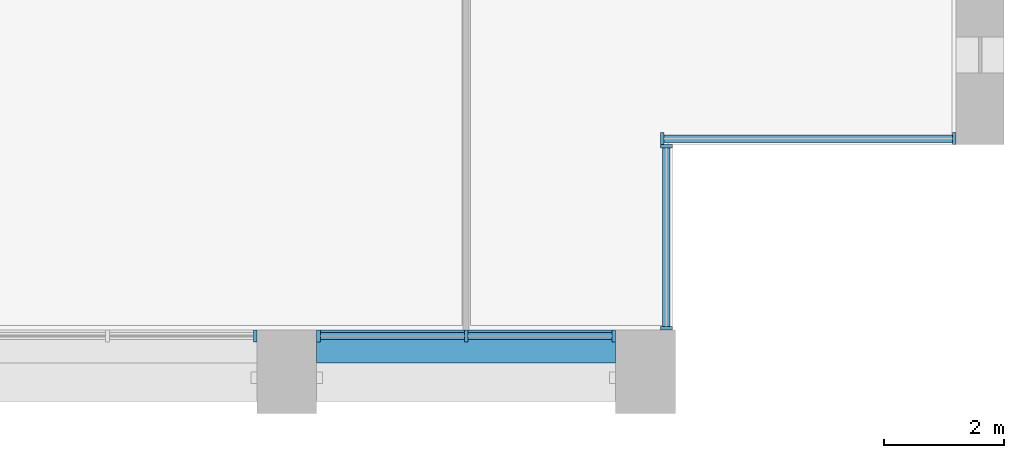
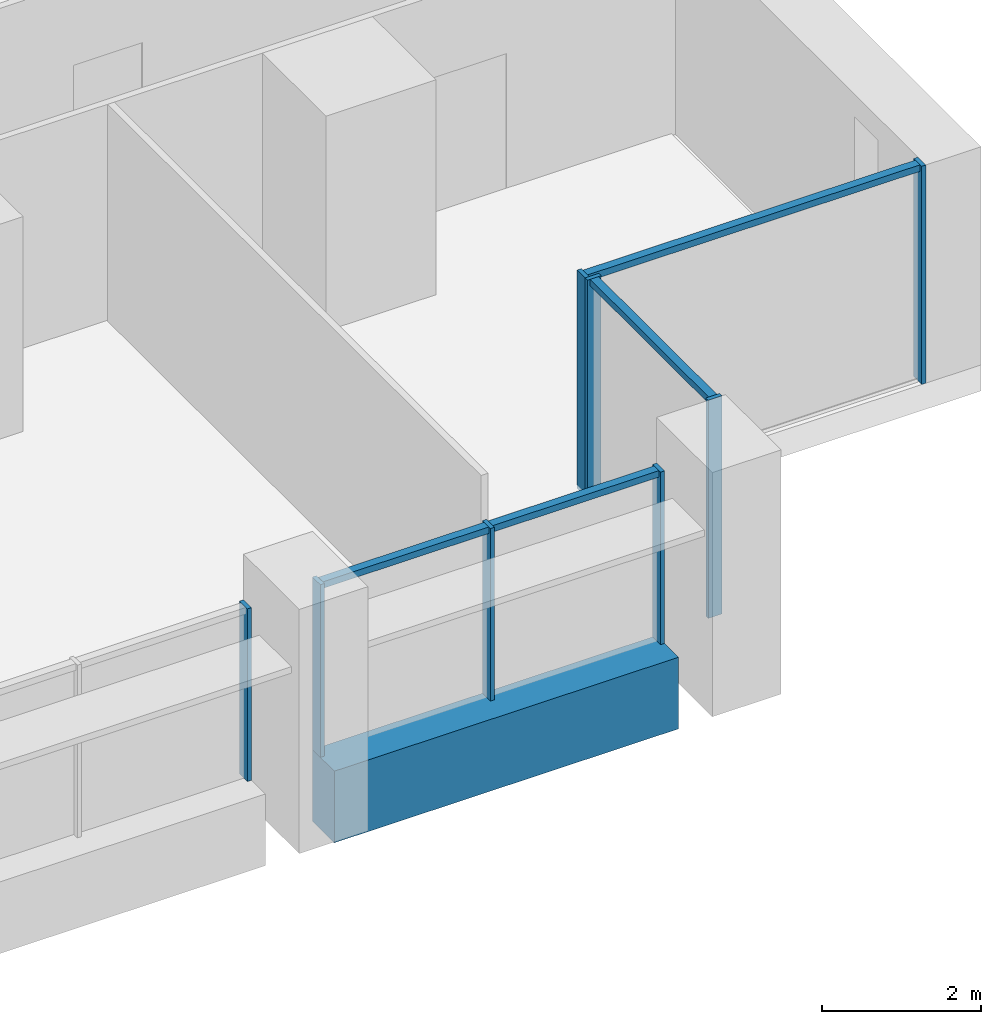
# One storey, part 5 of 18: 12 members, 1 beam, 4 elements without a shape of their own.
"""IFC4 building model written with IfcOpenShell, lengths in metres."""

import ifcopenshell
import ifcopenshell.guid

model = None  # the IFC model being written
_history = None  # IfcOwnerHistory: only IFC2X3 demands one
_inside = {}  # id of a spatial element -> (the spatial element, [elements in it])
_under = {}  # id of a project, library or spatial element -> (it, [spatial elements below it])
_declared = {}  # id of a project -> (the project, [libraries it declares])
_typed = {}  # id of a type object -> (the type object, [elements of that type])
_made_of = {}  # id of a material, layer set ... -> (it, [elements and type objects made of it])


def new_model(schema):
    """Start an empty IFC model of exactly this schema.

    Asked for "IFC4X3", IfcOpenShell would pick the latest addendum, in which some entities
    have other attributes; the version numbers below select the first issue.
    IFC2X3 requires an IfcOwnerHistory on every rooted entity: one is made here for all.
    """
    global model, _history
    if schema == "IFC4X3":
        model = ifcopenshell.file(schema_version=(4, 3, 0, 0))
    else:
        model = ifcopenshell.file(schema=schema)
    _inside.clear()
    _under.clear()
    _declared.clear()
    _typed.clear()
    _made_of.clear()
    _history = None
    if model.schema == "IFC2X3":
        org = make("IfcOrganization", Name="unknown")
        user = make(
            "IfcPersonAndOrganization",
            ThePerson=make("IfcPerson", FamilyName="unknown"),
            TheOrganization=org,
        )
        app = make(
            "IfcApplication",
            ApplicationDeveloper=org,
            Version="unknown",
            ApplicationFullName="unknown",
            ApplicationIdentifier="unknown",
        )
        _history = make(
            "IfcOwnerHistory",
            OwningUser=user,
            OwningApplication=app,
            ChangeAction="ADDED",
            CreationDate=0,
        )
    return model


def make(cls, **values):
    """One entity of the class cls with the attributes given. An attribute that is None is left unset."""
    return model.create_entity(
        cls, **{name: value for name, value in values.items() if value is not None}
    )


def rooted(cls, **values):
    """An entity with a GlobalId (a new one), such as an element, a storey or a relation."""
    return make(cls, GlobalId=ifcopenshell.guid.new(), OwnerHistory=_history, **values)


def si_unit(unit_type, name, prefix=None):
    """IfcSIUnit, for example si_unit("LENGTHUNIT", "METRE", prefix="MILLI")."""
    return make("IfcSIUnit", UnitType=unit_type, Prefix=prefix, Name=name)


def assignment(units):
    """IfcUnitAssignment: the units of a project."""
    return None if units is None else make("IfcUnitAssignment", Units=units)


def point(xyz):
    """IfcCartesianPoint."""
    return None if xyz is None else make("IfcCartesianPoint", Coordinates=xyz)


def direction(xyz):
    """IfcDirection."""
    return None if xyz is None else make("IfcDirection", DirectionRatios=xyz)


def frame(location, z_axis=None, x_axis=None):
    """IfcAxis2Placement3D, a coordinate frame: its origin and axes. An axis left out is left unset."""
    return make(
        "IfcAxis2Placement3D",
        Location=point(location),
        Axis=direction(z_axis),
        RefDirection=direction(x_axis),
    )


def frame_2d(location, x_axis=None):
    """IfcAxis2Placement2D, a coordinate frame in the plane: its origin and x axis."""
    return make(
        "IfcAxis2Placement2D", Location=point(location), RefDirection=direction(x_axis)
    )


def origin():
    """The frame at (0, 0, 0) with its axes left unset."""
    return frame((0.0, 0.0, 0.0))


def origin_2d():
    """The frame at (0, 0) in the plane with its x axis left unset."""
    return frame_2d((0.0, 0.0))


def place(relative_to, where):
    """IfcLocalPlacement: puts the frame where relative to a parent placement (None: the world)."""
    return make(
        "IfcLocalPlacement", PlacementRelTo=relative_to, RelativePlacement=where
    )


def context(
    kind, dimensions, precision=None, world=None, true_north=None, identifier=None
):
    """IfcGeometricRepresentationContext, for example the 3D "Model" context."""
    return make(
        "IfcGeometricRepresentationContext",
        ContextIdentifier=identifier,
        ContextType=kind,
        CoordinateSpaceDimension=dimensions,
        Precision=precision,
        WorldCoordinateSystem=world,
        TrueNorth=true_north,
    )


def subcontext(parent, identifier, kind, view, scale=None):
    """IfcGeometricRepresentationSubContext, for example "Body" below "Model"."""
    return make(
        "IfcGeometricRepresentationSubContext",
        ContextIdentifier=identifier,
        ContextType=kind,
        ParentContext=parent,
        TargetScale=scale,
        TargetView=view,
    )


def project(units=None, contexts=None):
    """IfcProject with its units and contexts."""
    return rooted(
        "IfcProject",
        Name="project",
        RepresentationContexts=contexts,
        UnitsInContext=assignment(units),
    )


def spatial(cls, under=None, at=None, **own):
    """A site, building, storey or space (cls), placed at a placement, below another one or the project."""
    s = rooted(cls, ObjectPlacement=at, **own)
    if under is not None:
        _under.setdefault(under.id(), (under, []))[1].append(s)
    return s


def profile(cls, at=None, kind="AREA", **sizes):
    """A parametric profile (cls). Its sizes go by their IFC names, for example OverallWidth=200.0."""
    return make(cls, ProfileType=kind, Position=at, **sizes)


def rectangle(**sizes):
    """IfcRectangleProfileDef."""
    return profile("IfcRectangleProfileDef", **sizes)


def extrude(swept, where, along, depth):
    """IfcExtrudedAreaSolid: the profile swept, set in the frame where, extruded along a direction by depth."""
    return make(
        "IfcExtrudedAreaSolid",
        SweptArea=swept,
        Position=where,
        ExtrudedDirection=direction(along),
        Depth=depth,
    )


def shape(context_of_items, identifier, shape_type, items):
    """IfcShapeRepresentation: the items that make up one representation, for example the "Body"."""
    return make(
        "IfcShapeRepresentation",
        ContextOfItems=context_of_items,
        RepresentationIdentifier=identifier,
        RepresentationType=shape_type,
        Items=items,
    )


def material(Name=None, Category=None):
    """IfcMaterial."""
    return make("IfcMaterial", Name=Name, Category=Category)


def material_profile(
    of_material, cross_section, Name=None, Category=None, Priority=None
):
    """IfcMaterialProfile: a cross section and its material."""
    return make(
        "IfcMaterialProfile",
        Name=Name,
        Material=of_material,
        Profile=cross_section,
        Priority=Priority,
        Category=Category,
    )


def profile_set(profiles, Name=None, composite=None):
    """IfcMaterialProfileSet."""
    return make(
        "IfcMaterialProfileSet",
        Name=Name,
        MaterialProfiles=profiles,
        CompositeProfile=composite,
    )


def made_of(thing, what):
    """Note that an element or type object is made of a material, layer set ...; save() writes the relation."""
    if what is not None:
        _made_of.setdefault(what.id(), (what, []))[1].append(thing)
    return thing


def type_object(cls, material=None, **own):
    """A type object (cls), such as IfcWallType, which elements share."""
    return made_of(rooted(cls, **own), material)


def element(
    cls,
    number,
    at=None,
    inside=None,
    cuts=None,
    type_object=None,
    material=None,
    context=None,
    identifier="Body",
    shape_type=None,
    held_by="IfcProductDefinitionShape",
    body=None,
    shapes=None,
    **own,
):
    """One element of the class cls, such as IfcWall. Its Tag is "e" and its number.

    at: its placement. inside: the storey or other place that contains it. cuts: it is an
    opening in that element (IfcRelVoidsElement). A single representation is given by context,
    identifier, shape_type and body (its items); several are given by shapes. held_by: the class
    of the entity that holds the representations. save() writes the other relations.
    """
    e = rooted(cls, Tag="e%d" % number, ObjectPlacement=at, **own)
    if body is not None:
        shapes = [shape(context, identifier, shape_type, body)]
    if shapes is not None:
        e.Representation = make(held_by, Representations=shapes)
    if inside is not None:
        _inside.setdefault(inside.id(), (inside, []))[1].append(e)
    if cuts is not None:
        rooted(
            "IfcRelVoidsElement", RelatingBuildingElement=cuts, RelatedOpeningElement=e
        )
    if type_object is not None:
        _typed.setdefault(type_object.id(), (type_object, []))[1].append(e)
    return made_of(e, material)


def aggregate(whole, parts):
    """IfcRelAggregates: a whole, such as a stair, and the parts it consists of."""
    return rooted("IfcRelAggregates", RelatingObject=whole, RelatedObjects=parts)


def save(model, path):
    """Write the relations noted so far, then the file.

    IfcRelAggregates (storeys below a building ...), IfcRelContainedInSpatialStructure (elements
    in a storey), IfcRelDefinesByType, IfcRelAssociatesMaterial and IfcRelDeclares: one each for
    every whole, place, type object, material and project.
    """
    for whole, parts in _under.values():
        aggregate(whole, parts)
    for where, things in _inside.values():
        rooted(
            "IfcRelContainedInSpatialStructure",
            RelatedElements=things,
            RelatingStructure=where,
        )
    for kind, things in _typed.values():
        rooted("IfcRelDefinesByType", RelatedObjects=things, RelatingType=kind)
    for what, things in _made_of.values():
        rooted("IfcRelAssociatesMaterial", RelatedObjects=things, RelatingMaterial=what)
    for by, libraries in _declared.values():
        rooted("IfcRelDeclares", RelatingContext=by, RelatedDefinitions=libraries)
    model.write(path)


model = new_model("IFC4")

# Units and contexts
model_context = context("Model", 3, precision=1e-05, world=origin(), true_north=direction((0.0, 1.0)))
body_context = subcontext(model_context, "Body", "Model", "MODEL_VIEW")
ifc_project = project(units=[si_unit("LENGTHUNIT", "METRE"), si_unit("AREAUNIT", "SQUARE_METRE"), si_unit("VOLUMEUNIT", "CUBIC_METRE"), si_unit("PLANEANGLEUNIT", "RADIAN"), si_unit("MASSUNIT", "GRAM", prefix="KILO")], contexts=[model_context])

# Site, building, storey
site_placement = place(None, origin())
site = spatial("IfcSite", under=ifc_project, at=site_placement, CompositionType="ELEMENT")
building_placement = place(site_placement, origin())
building = spatial("IfcBuilding", under=site, at=building_placement, Name="Calvaro Tower", CompositionType="ELEMENT")
storey_placement = place(building_placement, frame((0.0, 0.0, 63.75)))
storey = spatial("IfcBuildingStorey", under=building, at=storey_placement, Name="L15", CompositionType="ELEMENT", Elevation=63.75)

# Curtain wall, member
ifc_material_1 = material(Name="Anodised aluminium", Category="aluminium")
curtain_wall_type = type_object("IfcCurtainWallType", Name="Office curtain wall, lower zone", PredefinedType="NOTDEFINED", material=ifc_material_1)
curtain_wall_1_placement = place(storey_placement, origin())
curtain_wall_1 = element("IfcCurtainWall", 1, at=curtain_wall_1_placement, inside=storey, type_object=curtain_wall_type, Name="CW1 south curtain wall", PredefinedType="NOTDEFINED")
ifc_material_2 = material(Name="Anodised aluminium", Category="aluminium")
ifc_material_profile_1 = material_profile(ifc_material_2, rectangle(XDim=0.199951171875, YDim=0.06005859375, at=origin_2d()), Name="Mullion S1 60 x 200")
ifc_profile_set_1 = profile_set([ifc_material_profile_1], Name="Anodised aluminium")
member_type_1 = type_object("IfcMemberType", Name="Mullion S1 60 x 200", PredefinedType="MULLION", material=ifc_profile_set_1)
member_1_placement = place(storey_placement, frame((65.469970703125, 1.300048828125, 0.0), z_axis=(0.0, 0.0, 1.0), x_axis=(0.0, 1.0, 0.0)))
member_1 = element("IfcMember", 2, at=member_1_placement, type_object=member_type_1, Name="CW1 mullion 3", PredefinedType="MULLION", context=body_context, shape_type="SweptSolid", body=[
    extrude(rectangle(XDim=0.199951171875, YDim=0.06005859375, at=origin_2d()), origin(), (0.0, 0.0, 1.0), 2.64990234375),
])
aggregate(curtain_wall_1, [member_1])

# Curtain wall, members
curtain_wall_2_placement = place(storey_placement, origin())
curtain_wall_2 = element("IfcCurtainWall", 3, at=curtain_wall_2_placement, inside=storey, type_object=curtain_wall_type, Name="CW1 south curtain wall", PredefinedType="NOTDEFINED")
member_2_placement = place(storey_placement, frame((66.530029296875, 1.300048828125, 0.0), z_axis=(0.0, 0.0, 1.0), x_axis=(0.0, 1.0, 0.0)))
member_2 = element("IfcMember", 4, at=member_2_placement, type_object=member_type_1, Name="CW1 mullion 1", PredefinedType="MULLION", context=body_context, shape_type="SweptSolid", body=[
    extrude(rectangle(XDim=0.199951171875, YDim=0.06005859375, at=origin_2d()), origin(), (0.0, 0.0, 1.0), 2.64990234375),
])
member_3_placement = place(storey_placement, frame((69.0, 1.300048828125, 0.0), z_axis=(0.0, 0.0, 1.0), x_axis=(0.0, 1.0, 0.0)))
member_3 = element("IfcMember", 5, at=member_3_placement, type_object=member_type_1, Name="CW1 mullion 2", PredefinedType="MULLION", context=body_context, shape_type="SweptSolid", body=[
    extrude(rectangle(XDim=0.199951171875, YDim=0.06005859375, at=origin_2d()), origin(), (0.0, 0.0, 1.0), 2.64990234375),
])
member_4_placement = place(storey_placement, frame((71.469970703125, 1.300048828125, 0.0), z_axis=(0.0, 0.0, 1.0), x_axis=(0.0, 1.0, 0.0)))
member_4 = element("IfcMember", 6, at=member_4_placement, type_object=member_type_1, Name="CW1 mullion 3", PredefinedType="MULLION", context=body_context, shape_type="SweptSolid", body=[
    extrude(rectangle(XDim=0.199951171875, YDim=0.06005859375, at=origin_2d()), origin(), (0.0, 0.0, 1.0), 2.64990234375),
])

curtain_wall_3_placement = place(storey_placement, origin())
curtain_wall_3 = element("IfcCurtainWall", 7, at=curtain_wall_3_placement, inside=storey, type_object=curtain_wall_type, Name="CW1 corner curtain wall", PredefinedType="NOTDEFINED")
member_5_placement = place(storey_placement, frame((72.35009765625, 1.429931640625, 0.0), z_axis=(0.0, 0.0, 1.0), x_axis=(-1.0, 0.0, 0.0)))
member_5 = element("IfcMember", 8, at=member_5_placement, type_object=member_type_1, Name="CW1 mullion 1", PredefinedType="MULLION", context=body_context, shape_type="SweptSolid", body=[
    extrude(rectangle(XDim=0.199951171875, YDim=0.06005859375, at=origin_2d()), origin(), (0.0, 0.0, 1.0), 3.35009765625),
])
member_6_placement = place(storey_placement, frame((72.35009765625, 4.469970703125, 0.0), z_axis=(0.0, 0.0, 1.0), x_axis=(-1.0, 0.0, 0.0)))
member_6 = element("IfcMember", 9, at=member_6_placement, type_object=member_type_1, Name="CW1 mullion 2", PredefinedType="MULLION", context=body_context, shape_type="SweptSolid", body=[
    extrude(rectangle(XDim=0.199951171875, YDim=0.06005859375, at=origin_2d()), origin(), (0.0, 0.0, 1.0), 3.35009765625),
])

curtain_wall_4_placement = place(storey_placement, origin())
curtain_wall_4 = element("IfcCurtainWall", 10, at=curtain_wall_4_placement, inside=storey, type_object=curtain_wall_type, Name="CW1 corner curtain wall", PredefinedType="NOTDEFINED")
member_7_placement = place(storey_placement, frame((72.280029296875, 4.60009765625, 0.0), z_axis=(0.0, 0.0, 1.0), x_axis=(0.0, 1.0, 0.0)))
member_7 = element("IfcMember", 11, at=member_7_placement, type_object=member_type_1, Name="CW1 mullion 1", PredefinedType="MULLION", context=body_context, shape_type="SweptSolid", body=[
    extrude(rectangle(XDim=0.199951171875, YDim=0.06005859375, at=origin_2d()), origin(), (0.0, 0.0, 1.0), 3.35009765625),
])
member_8_placement = place(storey_placement, frame((77.169921875, 4.60009765625, 0.0), z_axis=(0.0, 0.0, 1.0), x_axis=(0.0, 1.0, 0.0)))
member_8 = element("IfcMember", 12, at=member_8_placement, type_object=member_type_1, Name="CW1 mullion 2", PredefinedType="MULLION", context=body_context, shape_type="SweptSolid", body=[
    extrude(rectangle(XDim=0.199951171875, YDim=0.06005859375, at=origin_2d()), origin(), (0.0, 0.0, 1.0), 3.35009765625),
])

# Beam
ifc_material_3 = material(Name="Concrete C50/60 precast", Category="concrete")
ifc_material_profile_2 = material_profile(ifc_material_3, rectangle(XDim=0.550048828125, YDim=1.10009765625, at=origin_2d()), Name="RC 550x1100")
ifc_profile_set_2 = profile_set([ifc_material_profile_2], Name="Concrete C50/60 precast")
beam_type = type_object("IfcBeamType", Name="Spandrel beam 550x1100 C50/60", PredefinedType="SPANDREL", material=ifc_profile_set_2)
beam_placement = place(storey_placement, frame((66.5, 1.125, -0.550048828125), z_axis=(1.0, 0.0, 0.0), x_axis=(0.0, 1.0, 0.0)))
element("IfcBeam", 13, at=beam_placement, inside=storey, type_object=beam_type, Name="Spandrel beam", PredefinedType="SPANDREL", context=body_context, shape_type="SweptSolid", body=[
    extrude(rectangle(XDim=0.550048828125, YDim=1.10009765625, at=origin_2d()), origin(), (0.0, 0.0, 1.0), 5.0),
])

# Member
ifc_material_4 = material(Name="Anodised aluminium", Category="aluminium")
ifc_material_profile_3 = material_profile(ifc_material_4, rectangle(XDim=0.1201171875, YDim=0.10009765625, at=origin_2d()), Name="Transom S1 100 x 120")
ifc_profile_set_3 = profile_set([ifc_material_profile_3], Name="Anodised aluminium")
member_type_2 = type_object("IfcMemberType", Name="Transom S1 100 x 120", PredefinedType="USERDEFINED", material=ifc_profile_set_3)
member_9_placement = place(storey_placement, frame((66.56005859375, 1.300048828125, 2.60009765625), z_axis=(1.0, 0.0, 0.0), x_axis=(0.0, 1.0, 0.0)))
member_9 = element("IfcMember", 14, at=member_9_placement, type_object=member_type_2, Name="CW1 transom 1.1", ObjectType="TRANSOM", PredefinedType="USERDEFINED", context=body_context, shape_type="SweptSolid", body=[
    extrude(rectangle(XDim=0.1201171875, YDim=0.10009765625, at=origin_2d()), origin(), (0.0, 0.0, 1.0), 2.409912109375),
])

member_10_placement = place(storey_placement, frame((69.030029296875, 1.300048828125, 2.60009765625), z_axis=(1.0, 0.0, 0.0), x_axis=(0.0, 1.0, 0.0)))
member_10 = element("IfcMember", 15, at=member_10_placement, type_object=member_type_2, Name="CW1 transom 2.1", ObjectType="TRANSOM", PredefinedType="USERDEFINED", context=body_context, shape_type="SweptSolid", body=[
    extrude(rectangle(XDim=0.1201171875, YDim=0.10009765625, at=origin_2d()), origin(), (0.0, 0.0, 1.0), 2.409912109375),
])

aggregate(curtain_wall_2, [member_2, member_3, member_4, member_9, member_10])

member_11_placement = place(storey_placement, frame((72.35009765625, 1.4599609375, 3.300048828125), z_axis=(0.0, 1.0, 0.0), x_axis=(-1.0, 0.0, 0.0)))
member_11 = element("IfcMember", 16, at=member_11_placement, type_object=member_type_2, Name="CW1 transom 1.1", ObjectType="TRANSOM", PredefinedType="USERDEFINED", context=body_context, shape_type="SweptSolid", body=[
    extrude(rectangle(XDim=0.1201171875, YDim=0.10009765625, at=origin_2d()), origin(), (0.0, 0.0, 1.0), 2.97998046875),
])

aggregate(curtain_wall_3, [member_5, member_6, member_11])

member_12_placement = place(storey_placement, frame((72.31005859375, 4.60009765625, 3.300048828125), z_axis=(1.0, 0.0, 0.0), x_axis=(0.0, 1.0, 0.0)))
member_12 = element("IfcMember", 17, at=member_12_placement, type_object=member_type_2, Name="CW1 transom 1.1", ObjectType="TRANSOM", PredefinedType="USERDEFINED", context=body_context, shape_type="SweptSolid", body=[
    extrude(rectangle(XDim=0.1201171875, YDim=0.10009765625, at=origin_2d()), origin(), (0.0, 0.0, 1.0), 4.829833984375),
])

aggregate(curtain_wall_4, [member_7, member_8, member_12])

save(model, "model.ifc")
